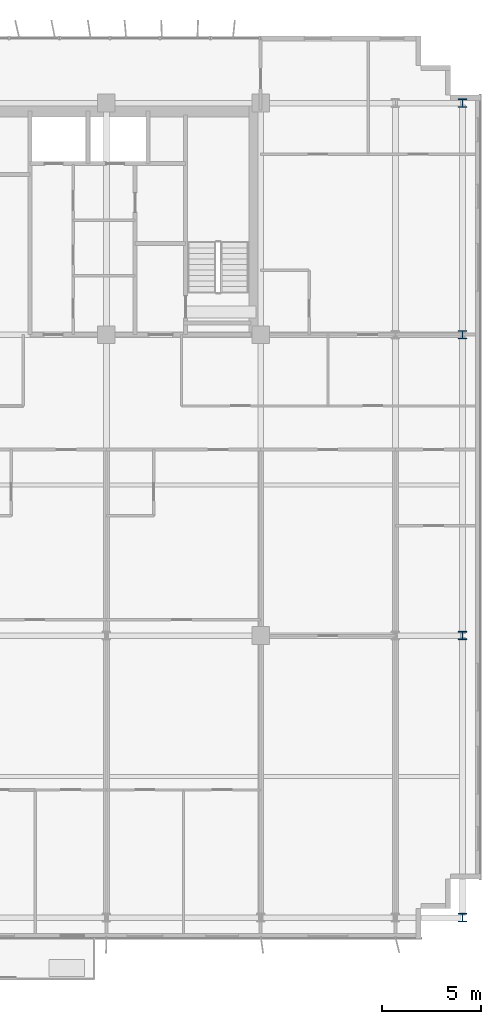
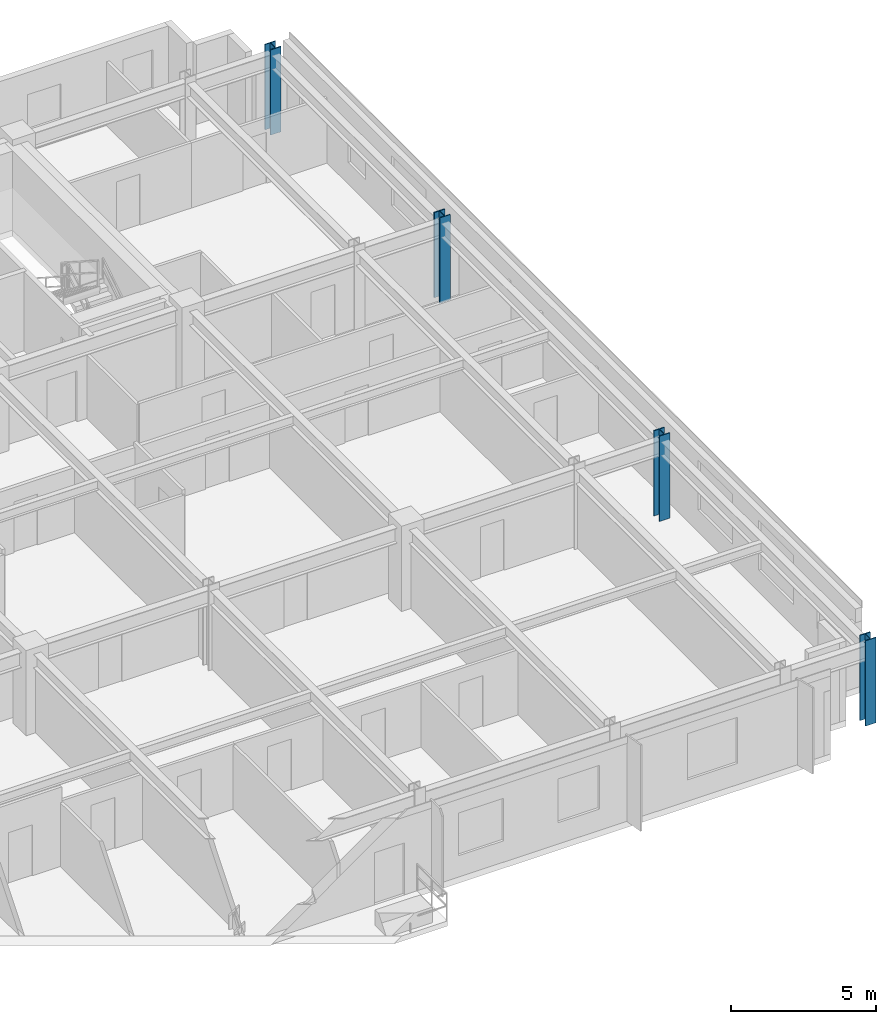
# One storey, part 3 of 24: 4 columns.
"""IFC4 building model written with IfcOpenShell, lengths in metres."""

from ifc_helpers import new_model, si_unit, direction, frame, origin, origin_2d, place, context, subcontext, project, spatial, i_section, extrude, source, transform, mapped, material, material_profile, profile_set, type_object, element, save


model = new_model("IFC4")

# Units and contexts
model_context = context("Model", 3, precision=1e-05, world=origin(), true_north=direction((0.0, 1.0)))
body_context = subcontext(model_context, "Body", "Model", "MODEL_VIEW")
ifc_project = project(units=[si_unit("LENGTHUNIT", "METRE"), si_unit("AREAUNIT", "SQUARE_METRE"), si_unit("VOLUMEUNIT", "CUBIC_METRE"), si_unit("PLANEANGLEUNIT", "RADIAN"), si_unit("MASSUNIT", "GRAM", prefix="KILO")], contexts=[model_context])

# Site, building, storey
site_placement = place(None, origin())
site = spatial("IfcSite", under=ifc_project, at=site_placement, CompositionType="ELEMENT")
building_placement = place(site_placement, origin())
building = spatial("IfcBuilding", under=site, at=building_placement, Name="Trelvane Seafront Commons", CompositionType="ELEMENT")
storey_placement = place(building_placement, frame((0.0, 0.0, 30.699951171875)))
storey = spatial("IfcBuildingStorey", under=building, at=storey_placement, Name="L07", CompositionType="ELEMENT", Elevation=30.699951171875)

# Columns
ifc_material = material(Name="Steel SM355 (S355)", Category="steel")
ifc_material_profile = material_profile(ifc_material, i_section(OverallWidth=0.419921875, OverallDepth=0.419921875, WebThickness=0.02587890625, FlangeThickness=0.0400390625, at=origin_2d()), Name="HD-420x420x26x40")
ifc_profile_set = profile_set([ifc_material_profile], Name="Steel SM355 (S355)")
column_type = type_object("IfcColumnType", Name="STR-COL-HD420", PredefinedType="COLUMN", material=ifc_profile_set)
shared_shape = source(origin(), body_context, "Body", "SweptSolid", [
    extrude(i_section(OverallWidth=0.419921875, OverallDepth=0.419921875, WebThickness=0.02587890625, FlangeThickness=0.0400390625, at=origin_2d()), origin(), (0.0, 0.0, 1.0), 3.60009765625),
])
for number, where, z_axis, x_axis, name in (
    (1, (69.0, 3.949951171875, 0.0), (0.0, 0.0, 1.0), (1.0, 0.0, 0.0), "L07 Column TC-S69.0"),
    (2, (69.0, 18.199951171875, 0.0), (0.0, 0.0, 1.0), (1.0, 0.0, 0.0), "L07 Column TC-M69.0"),
    (3, (69.0, 33.39990234375, 0.0), (0.0, 0.0, 1.0), (1.0, 0.0, 0.0), "L07 Column TC-CS69.0"),
    (4, (69.0, 45.10009765625, 0.0), (0.0, 0.0, 1.0), (1.0, 0.0, 0.0), "L07 Column TC-CN69.0"),
):
    element("IfcColumn", number, at=place(storey_placement, frame(where, z_axis=z_axis, x_axis=x_axis)), inside=storey, type_object=column_type, Name=name, PredefinedType="COLUMN", context=body_context, shape_type="MappedRepresentation", body=[
        mapped(shared_shape, transform((0.0, 0.0, 0.0), x_axis=(1.0, 0.0, 0.0), y_axis=(0.0, 1.0, 0.0), z_axis=(0.0, 0.0, 1.0), scale=1.0)),
    ])

save(model, "model.ifc")
